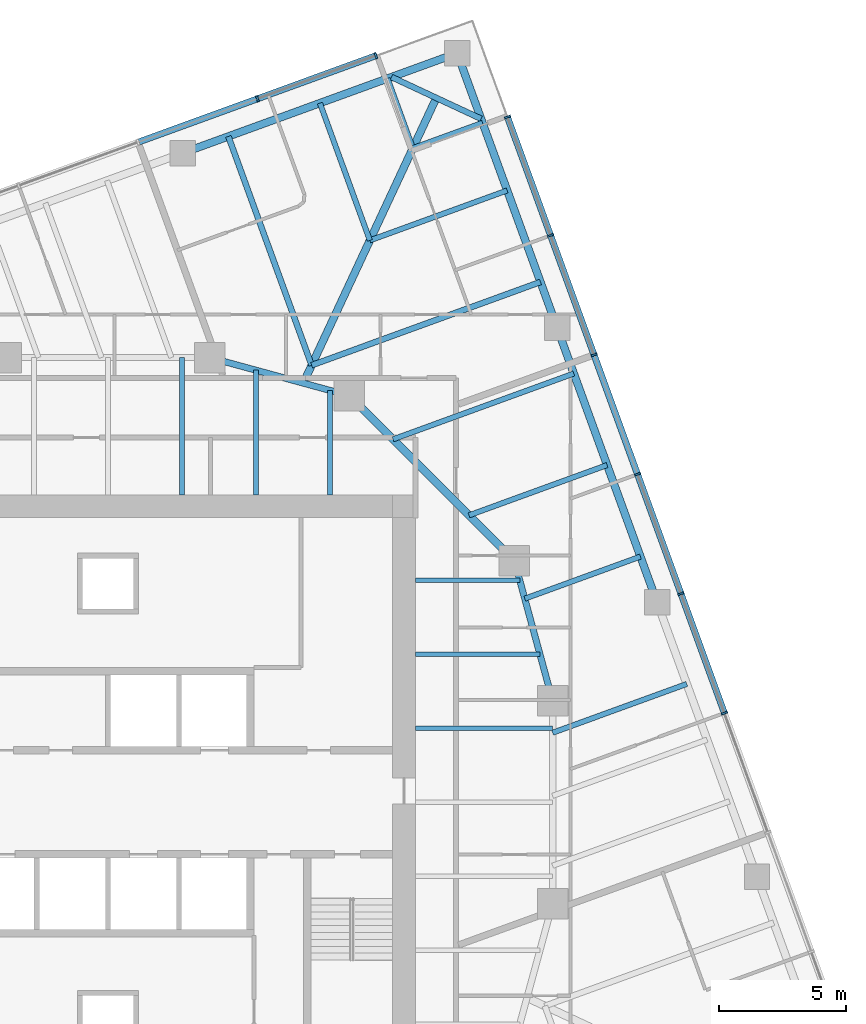
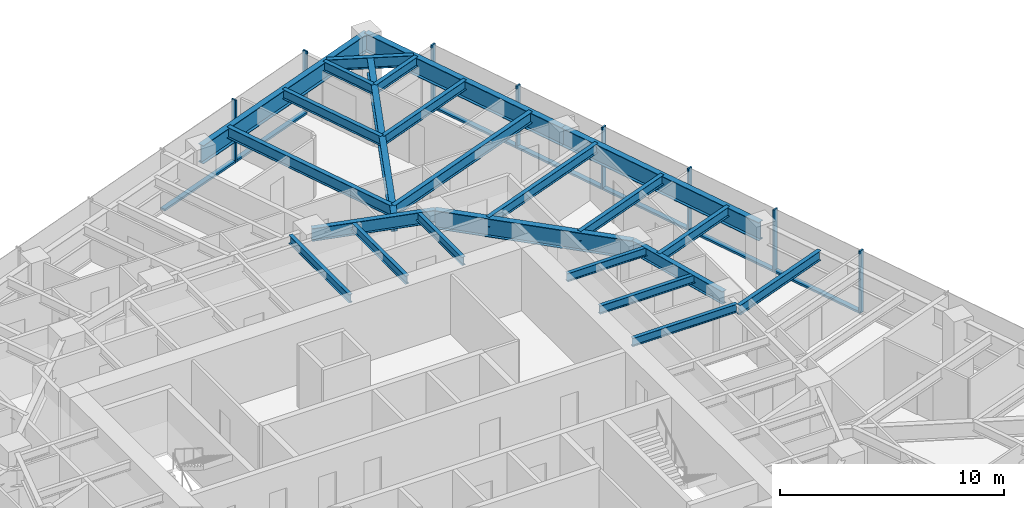
# One storey, part 5 of 13: 24 beams, 15 members, 2 elements without a shape of their own.
"""IFC4 building model written with IfcOpenShell, lengths in metres."""

from ifc_helpers import new_model, si_unit, direction, frame, origin, origin_2d, place, context, subcontext, project, spatial, rectangle, i_section, extrude, material, material_profile, profile_set, type_object, element, aggregate, save


model = new_model("IFC4")

# Units and contexts
model_context = context("Model", 3, precision=1e-05, world=origin(), true_north=direction((0.0, 1.0)))
body_context = subcontext(model_context, "Body", "Model", "MODEL_VIEW")
ifc_project = project(units=[si_unit("LENGTHUNIT", "METRE"), si_unit("AREAUNIT", "SQUARE_METRE"), si_unit("VOLUMEUNIT", "CUBIC_METRE"), si_unit("PLANEANGLEUNIT", "RADIAN"), si_unit("MASSUNIT", "GRAM", prefix="KILO")], contexts=[model_context])

# Site, building, storey
site_placement = place(None, origin())
site = spatial("IfcSite", under=ifc_project, at=site_placement, CompositionType="ELEMENT")
building_placement = place(site_placement, origin())
building = spatial("IfcBuilding", under=site, at=building_placement, Name="Torsade Residences", CompositionType="ELEMENT")
storey_placement = place(building_placement, frame((0.0, 0.0, 164.199951171875)))
storey = spatial("IfcBuildingStorey", under=building, at=storey_placement, Name="L45", CompositionType="ELEMENT", Elevation=164.199951171875)

# Beams
ifc_material_1 = material(Name="Steel grade 300", Category="steel")
ifc_material_profile_1 = material_profile(ifc_material_1, i_section(OverallWidth=0.300048828125, OverallDepth=0.89990234375, WebThickness=0.011962890625, FlangeThickness=0.02490234375, at=origin_2d()), Name="900WB175")
ifc_profile_set_1 = profile_set([ifc_material_profile_1], Name="Steel grade 300")
beam_type_1 = type_object("IfcBeamType", Name="CORNER GIRDER 900WB175", PredefinedType="BEAM", material=ifc_profile_set_1)
beam_1_placement = place(storey_placement, frame((52.924560546875, 57.717041015625, 2.800048828125), z_axis=(-0.422616712682, -0.906308509373, 0.0), x_axis=(0.906308509373, -0.422616712682, 0.0)))
element("IfcBeam", 1, at=beam_1_placement, inside=storey, type_object=beam_type_1, Name="Corner girder 09 L46", PredefinedType="BEAM", context=body_context, shape_type="SweptSolid", body=[
    extrude(i_section(OverallWidth=0.300048828125, OverallDepth=0.89990234375, WebThickness=0.011962890625, FlangeThickness=0.02490234375, at=origin_2d()), origin(), (0.0, 0.0, 1.0), 12.3837890625),
])
ifc_material_2 = material(Name="Steel grade 300", Category="steel")
ifc_material_profile_2 = material_profile(ifc_material_2, i_section(OverallWidth=0.22802734375, OverallDepth=0.60205078125, WebThickness=0.010498046875, FlangeThickness=0.014892578125, FilletRadius=0.013916015625, at=origin_2d()), Name="610UB101")
ifc_profile_set_2 = profile_set([ifc_material_profile_2], Name="Steel grade 300")
beam_type_2 = type_object("IfcBeamType", Name="CORNER TRIMMER 610UB101", PredefinedType="BEAM", material=ifc_profile_set_2)
beam_2_placement = place(storey_placement, frame((51.162353515625, 58.538818359375, 2.948974609375), z_axis=(0.906309798645, -0.422613947806, 0.0), x_axis=(0.422613947806, 0.906309798645, 0.0)))
element("IfcBeam", 2, at=beam_2_placement, inside=storey, type_object=beam_type_2, Name="Corner trimmer 09 L46", PredefinedType="BEAM", context=body_context, shape_type="SweptSolid", body=[
    extrude(i_section(OverallWidth=0.22802734375, OverallDepth=0.60205078125, WebThickness=0.010498046875, FlangeThickness=0.014892578125, FilletRadius=0.013916015625, at=origin_2d()), origin(), (0.0, 0.0, 1.0), 3.888916015625),
])
ifc_material_3 = material(Name="Steel grade 300", Category="steel")
ifc_material_profile_3 = material_profile(ifc_material_3, i_section(OverallWidth=0.300048828125, OverallDepth=1.0, WebThickness=0.01611328125, FlangeThickness=0.028076171875, at=origin_2d()), Name="1000WB215")
ifc_profile_set_3 = profile_set([ifc_material_profile_3], Name="Steel grade 300")
beam_type_3 = type_object("IfcBeamType", Name="EDGE BEAM 1000WB215", PredefinedType="SPANDREL", material=ifc_profile_set_3)
for number, where, z_axis, x_axis, name in (
    (3, (61.613037109375, 37.866455078125, 2.75), (-0.342031119628, 0.939688625666, 0.0), (-0.939688625666, -0.342031119628, 0.0), "Edge beam 07 L46"),
    (4, (57.6796875, 48.6728515625, 2.75), (-0.342005550448, 0.939697932031, 0.0), (-0.939697932031, -0.342005550448, 0.0), "Edge beam 08 L46"),
):
    element("IfcBeam", number, at=place(storey_placement, frame(where, z_axis=z_axis, x_axis=x_axis)), inside=storey, type_object=beam_type_3, Name=name, PredefinedType="SPANDREL", context=body_context, shape_type="SweptSolid", body=[
        extrude(i_section(OverallWidth=0.300048828125, OverallDepth=1.0, WebThickness=0.01611328125, FlangeThickness=0.028076171875, at=origin_2d()), origin(), (0.0, 0.0, 1.0), 11.5),
    ])
beam_3_placement = place(storey_placement, frame((53.74658203125, 59.4794921875, 2.75), z_axis=(-0.93969110915, -0.342024296483, 0.0), x_axis=(0.342024296483, -0.93969110915, 0.0)))
element("IfcBeam", 5, at=beam_3_placement, inside=storey, type_object=beam_type_3, Name="Edge beam 09 L46", PredefinedType="SPANDREL", context=body_context, shape_type="SweptSolid", body=[
    extrude(i_section(OverallWidth=0.300048828125, OverallDepth=1.0, WebThickness=0.01611328125, FlangeThickness=0.028076171875, at=origin_2d()), origin(), (0.0, 0.0, 1.0), 11.500244140625),
])
ifc_material_4 = material(Name="Steel grade 300", Category="steel")
ifc_material_profile_4 = material_profile(ifc_material_4, i_section(OverallWidth=0.18994140625, OverallDepth=0.4541015625, WebThickness=0.008544921875, FlangeThickness=0.0126953125, FilletRadius=0.011474609375, at=origin_2d()), Name="460UB67.1")
ifc_profile_set_4 = profile_set([ifc_material_profile_4], Name="Steel grade 300")
beam_type_4 = type_object("IfcBeamType", Name="INNER FLOOR BEAM 460UB67.1", PredefinedType="JOIST", material=ifc_profile_set_4)
beam_4_placement = place(storey_placement, frame((42.91259765625, 42.10009765625, 3.02294921875), z_axis=(0.0, 1.0, 0.0), x_axis=(-1.0, 0.0, 0.0)))
element("IfcBeam", 6, at=beam_4_placement, inside=storey, type_object=beam_type_4, Name="Inner floor beam IN05 L46", PredefinedType="JOIST", context=body_context, shape_type="SweptSolid", body=[
    extrude(i_section(OverallWidth=0.18994140625, OverallDepth=0.4541015625, WebThickness=0.008544921875, FlangeThickness=0.0126953125, FilletRadius=0.011474609375, at=origin_2d()), origin(), (0.0, 0.0, 1.0), 5.39990234375),
])
beam_5_placement = place(storey_placement, frame((45.824951171875, 42.10009765625, 3.02294921875), z_axis=(0.0, 1.0, 0.0), x_axis=(-1.0, 0.0, 0.0)))
element("IfcBeam", 7, at=beam_5_placement, inside=storey, type_object=beam_type_4, Name="Inner floor beam IN06 L46", PredefinedType="JOIST", context=body_context, shape_type="SweptSolid", body=[
    extrude(i_section(OverallWidth=0.18994140625, OverallDepth=0.4541015625, WebThickness=0.008544921875, FlangeThickness=0.0126953125, FilletRadius=0.011474609375, at=origin_2d()), origin(), (0.0, 0.0, 1.0), 4.902099609375),
])
beam_6_placement = place(storey_placement, frame((48.737548828125, 42.10009765625, 3.02294921875), z_axis=(0.0, 1.0, 0.0), x_axis=(-1.0, 0.0, 0.0)))
element("IfcBeam", 8, at=beam_6_placement, inside=storey, type_object=beam_type_4, Name="Inner floor beam IN07 L46", PredefinedType="JOIST", context=body_context, shape_type="SweptSolid", body=[
    extrude(i_section(OverallWidth=0.18994140625, OverallDepth=0.4541015625, WebThickness=0.008544921875, FlangeThickness=0.0126953125, FilletRadius=0.011474609375, at=origin_2d()), origin(), (0.0, 0.0, 1.0), 4.10791015625),
])
beam_7_placement = place(storey_placement, frame((52.10009765625, 32.91259765625, 3.02294921875), z_axis=(1.0, 0.0, 0.0), x_axis=(0.0, 1.0, 0.0)))
element("IfcBeam", 9, at=beam_7_placement, inside=storey, type_object=beam_type_4, Name="Inner floor beam IE05 L46", PredefinedType="JOIST", context=body_context, shape_type="SweptSolid", body=[
    extrude(i_section(OverallWidth=0.18994140625, OverallDepth=0.4541015625, WebThickness=0.008544921875, FlangeThickness=0.0126953125, FilletRadius=0.011474609375, at=origin_2d()), origin(), (0.0, 0.0, 1.0), 5.39990234375),
])
beam_8_placement = place(storey_placement, frame((52.10009765625, 35.824951171875, 3.02294921875), z_axis=(1.0, 0.0, 0.0), x_axis=(0.0, 1.0, 0.0)))
element("IfcBeam", 10, at=beam_8_placement, inside=storey, type_object=beam_type_4, Name="Inner floor beam IE06 L46", PredefinedType="JOIST", context=body_context, shape_type="SweptSolid", body=[
    extrude(i_section(OverallWidth=0.18994140625, OverallDepth=0.4541015625, WebThickness=0.008544921875, FlangeThickness=0.0126953125, FilletRadius=0.011474609375, at=origin_2d()), origin(), (0.0, 0.0, 1.0), 4.902099609375),
])
beam_9_placement = place(storey_placement, frame((52.10009765625, 38.737548828125, 3.02294921875), z_axis=(1.0, 0.0, 0.0), x_axis=(0.0, 1.0, 0.0)))
element("IfcBeam", 11, at=beam_9_placement, inside=storey, type_object=beam_type_4, Name="Inner floor beam IE07 L46", PredefinedType="JOIST", context=body_context, shape_type="SweptSolid", body=[
    extrude(i_section(OverallWidth=0.18994140625, OverallDepth=0.4541015625, WebThickness=0.008544921875, FlangeThickness=0.0126953125, FilletRadius=0.011474609375, at=origin_2d()), origin(), (0.0, 0.0, 1.0), 4.10791015625),
])

# Curtain wall, members
ifc_material_5 = material(Name="Aluminium and glass", Category="aluminium")
curtain_wall_type = type_object("IfcCurtainWallType", Name="FRITTED GLASS CURTAIN WALL MID ZONE", PredefinedType="NOTDEFINED", material=ifc_material_5)
curtain_wall_1_placement = place(storey_placement, origin())
curtain_wall_1 = element("IfcCurtainWall", 12, at=curtain_wall_1_placement, inside=storey, type_object=curtain_wall_type, Name="Curtain wall L45 face 4", PredefinedType="NOTDEFINED")
ifc_material_6 = material(Name="Aluminium mullion", Category="aluminium")
ifc_material_profile_5 = material_profile(ifc_material_6, rectangle(XDim=0.25, YDim=0.080078125, at=origin_2d()), Name="MID ZONE CURTAIN WALL MULLION 250x80")
ifc_profile_set_5 = profile_set([ifc_material_profile_5], Name="Aluminium mullion")
member_type_1 = type_object("IfcMemberType", Name="MID ZONE CURTAIN WALL MULLION 250x80", PredefinedType="MULLION", material=ifc_profile_set_5)
member_1_placement = place(storey_placement, frame((64.2626953125, 33.510009765625, 0.0), z_axis=(0.0, 0.0, 1.0), x_axis=(-0.939692619132, -0.342020147869, 0.0)))
member_1 = element("IfcMember", 13, at=member_1_placement, type_object=member_type_1, Name="Mullion 4", PredefinedType="MULLION", context=body_context, shape_type="SweptSolid", body=[
    extrude(rectangle(XDim=0.25, YDim=0.080078125, at=origin_2d()), origin(), (0.0, 0.0, 1.0), 3.400146484375),
])
member_2_placement = place(storey_placement, frame((62.552734375, 38.20849609375, 0.0), z_axis=(0.0, 0.0, 1.0), x_axis=(-0.939692619132, -0.342020147869, 0.0)))
member_2 = element("IfcMember", 14, at=member_2_placement, type_object=member_type_1, Name="Mullion 5", PredefinedType="MULLION", context=body_context, shape_type="SweptSolid", body=[
    extrude(rectangle(XDim=0.25, YDim=0.080078125, at=origin_2d()), origin(), (0.0, 0.0, 1.0), 3.400146484375),
])
member_3_placement = place(storey_placement, frame((60.842529296875, 42.906982421875, 0.0), z_axis=(0.0, 0.0, 1.0), x_axis=(-0.939692619132, -0.342020147869, 0.0)))
member_3 = element("IfcMember", 15, at=member_3_placement, type_object=member_type_1, Name="Mullion 6", PredefinedType="MULLION", context=body_context, shape_type="SweptSolid", body=[
    extrude(rectangle(XDim=0.25, YDim=0.080078125, at=origin_2d()), origin(), (0.0, 0.0, 1.0), 3.400146484375),
])
member_4_placement = place(storey_placement, frame((59.13232421875, 47.60546875, 0.0), z_axis=(0.0, 0.0, 1.0), x_axis=(-0.939692619132, -0.342020147869, 0.0)))
member_4 = element("IfcMember", 16, at=member_4_placement, type_object=member_type_1, Name="Mullion 7", PredefinedType="MULLION", context=body_context, shape_type="SweptSolid", body=[
    extrude(rectangle(XDim=0.25, YDim=0.080078125, at=origin_2d()), origin(), (0.0, 0.0, 1.0), 3.400146484375),
])
member_5_placement = place(storey_placement, frame((57.42236328125, 52.303955078125, 0.0), z_axis=(0.0, 0.0, 1.0), x_axis=(-0.939692619132, -0.342020147869, 0.0)))
member_5 = element("IfcMember", 17, at=member_5_placement, type_object=member_type_1, Name="Mullion 8", PredefinedType="MULLION", context=body_context, shape_type="SweptSolid", body=[
    extrude(rectangle(XDim=0.25, YDim=0.080078125, at=origin_2d()), origin(), (0.0, 0.0, 1.0), 3.400146484375),
])
member_6_placement = place(storey_placement, frame((55.725830078125, 56.96484375, 0.0), z_axis=(0.0, 0.0, 1.0), x_axis=(-0.939692619132, -0.342020147869, 0.0)))
member_6 = element("IfcMember", 18, at=member_6_placement, type_object=member_type_1, Name="Mullion 9", PredefinedType="MULLION", context=body_context, shape_type="SweptSolid", body=[
    extrude(rectangle(XDim=0.25, YDim=0.080078125, at=origin_2d()), origin(), (0.0, 0.0, 1.0), 3.400146484375),
])

curtain_wall_2_placement = place(storey_placement, origin())
curtain_wall_2 = element("IfcCurtainWall", 19, at=curtain_wall_2_placement, inside=storey, type_object=curtain_wall_type, Name="Curtain wall L45 face 7", PredefinedType="NOTDEFINED")
member_7_placement = place(storey_placement, frame((50.5478515625, 59.37939453125, 0.0), z_axis=(0.0, 0.0, 1.0), x_axis=(0.342020147869, -0.939692619132, 0.0)))
member_7 = element("IfcMember", 20, at=member_7_placement, type_object=member_type_1, Name="Mullion 1", PredefinedType="MULLION", context=body_context, shape_type="SweptSolid", body=[
    extrude(rectangle(XDim=0.25, YDim=0.080078125, at=origin_2d()), origin(), (0.0, 0.0, 1.0), 3.400146484375),
])
member_8_placement = place(storey_placement, frame((45.886962890625, 57.682861328125, 0.0), z_axis=(0.0, 0.0, 1.0), x_axis=(0.342020147869, -0.939692619132, 0.0)))
member_8 = element("IfcMember", 21, at=member_8_placement, type_object=member_type_1, Name="Mullion 2", PredefinedType="MULLION", context=body_context, shape_type="SweptSolid", body=[
    extrude(rectangle(XDim=0.25, YDim=0.080078125, at=origin_2d()), origin(), (0.0, 0.0, 1.0), 3.400146484375),
])

# Member
ifc_material_7 = material(Name="Aluminium transom", Category="aluminium")
ifc_material_profile_6 = material_profile(ifc_material_7, rectangle(XDim=0.25, YDim=0.110107421875, at=origin_2d()), Name="MID ZONE CURTAIN WALL TRANSOM 250x110")
ifc_profile_set_6 = profile_set([ifc_material_profile_6], Name="Aluminium transom")
member_type_2 = type_object("IfcMemberType", Name="MID ZONE CURTAIN WALL TRANSOM 250x110", PredefinedType="USERDEFINED", material=ifc_profile_set_6)
member_9_placement = place(storey_placement, frame((64.2490234375, 33.547607421875, 0.054931640625), z_axis=(-0.341998044792, 0.9397006637, 0.0), x_axis=(-0.9397006637, -0.341998044792, 0.0)))
member_9 = element("IfcMember", 22, at=member_9_placement, type_object=member_type_2, Name="Transom 4.1", ObjectType="TRANSOM", PredefinedType="USERDEFINED", context=body_context, shape_type="SweptSolid", body=[
    extrude(rectangle(XDim=0.25, YDim=0.110107421875, at=origin_2d()), origin(), (0.0, 0.0, 1.0), 4.919921875),
])

member_10_placement = place(storey_placement, frame((62.5390625, 38.24609375, 0.054931640625), z_axis=(-0.342041862168, 0.93968471549, 0.0), x_axis=(-0.93968471549, -0.342041862168, 0.0)))
member_10 = element("IfcMember", 23, at=member_10_placement, type_object=member_type_2, Name="Transom 5.1", ObjectType="TRANSOM", PredefinedType="USERDEFINED", context=body_context, shape_type="SweptSolid", body=[
    extrude(rectangle(XDim=0.25, YDim=0.110107421875, at=origin_2d()), origin(), (0.0, 0.0, 1.0), 4.920166015625),
])

member_11_placement = place(storey_placement, frame((60.828857421875, 42.944580078125, 0.054931640625), z_axis=(-0.342041862168, 0.93968471549, 0.0), x_axis=(-0.93968471549, -0.342041862168, 0.0)))
member_11 = element("IfcMember", 24, at=member_11_placement, type_object=member_type_2, Name="Transom 6.1", ObjectType="TRANSOM", PredefinedType="USERDEFINED", context=body_context, shape_type="SweptSolid", body=[
    extrude(rectangle(XDim=0.25, YDim=0.110107421875, at=origin_2d()), origin(), (0.0, 0.0, 1.0), 4.920166015625),
])

member_12_placement = place(storey_placement, frame((59.11865234375, 47.64306640625, 0.054931640625), z_axis=(-0.341998044792, 0.9397006637, 0.0), x_axis=(-0.9397006637, -0.341998044792, 0.0)))
member_12 = element("IfcMember", 25, at=member_12_placement, type_object=member_type_2, Name="Transom 7.1", ObjectType="TRANSOM", PredefinedType="USERDEFINED", context=body_context, shape_type="SweptSolid", body=[
    extrude(rectangle(XDim=0.25, YDim=0.110107421875, at=origin_2d()), origin(), (0.0, 0.0, 1.0), 4.919921875),
])

member_13_placement = place(storey_placement, frame((57.40869140625, 52.341552734375, 0.054931640625), z_axis=(-0.342044311564, 0.939683823915, 0.0), x_axis=(-0.939683823915, -0.342044311564, 0.0)))
member_13 = element("IfcMember", 26, at=member_13_placement, type_object=member_type_2, Name="Transom 8.1", ObjectType="TRANSOM", PredefinedType="USERDEFINED", context=body_context, shape_type="SweptSolid", body=[
    extrude(rectangle(XDim=0.25, YDim=0.110107421875, at=origin_2d()), origin(), (0.0, 0.0, 1.0), 4.880126953125),
])

aggregate(curtain_wall_1, [member_1, member_2, member_3, member_4, member_5, member_6, member_9, member_10, member_11, member_12, member_13])

member_14_placement = place(storey_placement, frame((50.51025390625, 59.36572265625, 0.054931640625), z_axis=(-0.939683823915, -0.342044311564, 0.0), x_axis=(0.342044311564, -0.939683823915, 0.0)))
member_14 = element("IfcMember", 27, at=member_14_placement, type_object=member_type_2, Name="Transom 1.1", ObjectType="TRANSOM", PredefinedType="USERDEFINED", context=body_context, shape_type="SweptSolid", body=[
    extrude(rectangle(XDim=0.25, YDim=0.110107421875, at=origin_2d()), origin(), (0.0, 0.0, 1.0), 4.880126953125),
])

member_15_placement = place(storey_placement, frame((45.849365234375, 57.669189453125, 0.054931640625), z_axis=(-0.9397006637, -0.341998044792, 0.0), x_axis=(0.341998044792, -0.9397006637, 0.0)))
member_15 = element("IfcMember", 28, at=member_15_placement, type_object=member_type_2, Name="Transom 2.1", ObjectType="TRANSOM", PredefinedType="USERDEFINED", context=body_context, shape_type="SweptSolid", body=[
    extrude(rectangle(XDim=0.25, YDim=0.110107421875, at=origin_2d()), origin(), (0.0, 0.0, 1.0), 4.919921875),
])

aggregate(curtain_wall_2, [member_7, member_8, member_14, member_15])

# Beams
ifc_material_8 = material(Name="Steel grade 300", Category="steel")
ifc_material_profile_7 = material_profile(ifc_material_8, i_section(OverallWidth=0.300048828125, OverallDepth=1.0, WebThickness=0.01611328125, FlangeThickness=0.028076171875, at=origin_2d()), Name="1000WB215")
ifc_profile_set_7 = profile_set([ifc_material_profile_7], Name="Steel grade 300")
beam_type_5 = type_object("IfcBeamType", Name="RING CORNER GIRDER 1000WB215", PredefinedType="BEAM", material=ifc_profile_set_7)
beam_10_placement = place(storey_placement, frame((56.0, 39.5, 2.75), z_axis=(-0.707106781187, 0.707106781187, 0.0), x_axis=(-0.707106781187, -0.707106781187, 0.0)))
element("IfcBeam", 29, at=beam_10_placement, inside=storey, type_object=beam_type_5, Name="Ring girder IR03 L46", PredefinedType="BEAM", context=body_context, shape_type="SweptSolid", body=[
    extrude(i_section(OverallWidth=0.300048828125, OverallDepth=1.0, WebThickness=0.01611328125, FlangeThickness=0.028076171875, at=origin_2d()), origin(), (0.0, 0.0, 1.0), 9.1923828125),
])
ifc_material_9 = material(Name="Steel grade 300", Category="steel")
ifc_material_profile_8 = material_profile(ifc_material_9, i_section(OverallWidth=0.25, OverallDepth=0.699951171875, WebThickness=0.010009765625, FlangeThickness=0.02001953125, at=origin_2d()), Name="700WB130")
ifc_profile_set_8 = profile_set([ifc_material_profile_8], Name="Steel grade 300")
beam_type_6 = type_object("IfcBeamType", Name="RING GIRDER 700WB130", PredefinedType="BEAM", material=ifc_profile_set_8)
for number, where, z_axis, x_axis, name in (
    (30, (57.5, 34.0, 2.900146484375), (-0.263117405792, 0.964763821238, 0.0), (-0.964763821238, -0.263117405792, 0.0), "Ring girder IR02 L46"),
    (31, (49.5, 46.0, 2.900146484375), (-0.964763821238, 0.263117405792, 0.0), (-0.263117405792, -0.964763821238, 0.0), "Ring girder IR04 L46"),
):
    element("IfcBeam", number, at=place(storey_placement, frame(where, z_axis=z_axis, x_axis=x_axis)), inside=storey, type_object=beam_type_6, Name=name, PredefinedType="BEAM", context=body_context, shape_type="SweptSolid", body=[
        extrude(i_section(OverallWidth=0.25, OverallDepth=0.699951171875, WebThickness=0.010009765625, FlangeThickness=0.02001953125, at=origin_2d()), origin(), (0.0, 0.0, 1.0), 5.700927734375),
    ])
ifc_material_10 = material(Name="Steel grade 300", Category="steel")
ifc_material_profile_9 = material_profile(ifc_material_10, i_section(OverallWidth=0.208984375, OverallDepth=0.528076171875, WebThickness=0.009521484375, FlangeThickness=0.01318359375, FilletRadius=0.013916015625, at=origin_2d()), Name="530UB82.0")
ifc_profile_set_9 = profile_set([ifc_material_profile_9], Name="Steel grade 300")
beam_type_7 = type_object("IfcBeamType", Name="SECONDARY BEAM 530UB82.0", PredefinedType="JOIST", material=ifc_profile_set_9)
beam_11_placement = place(storey_placement, frame((62.781494140625, 34.65576171875, 2.986083984375), z_axis=(-0.939703343336, -0.341990681925, 0.0), x_axis=(0.341990681925, -0.939703343336, 0.0)))
element("IfcBeam", 32, at=beam_11_placement, inside=storey, type_object=beam_type_7, Name="Floor beam FE06 L46", PredefinedType="JOIST", context=body_context, shape_type="SweptSolid", body=[
    extrude(i_section(OverallWidth=0.208984375, OverallDepth=0.528076171875, WebThickness=0.009521484375, FlangeThickness=0.01318359375, FilletRadius=0.013916015625, at=origin_2d()), origin(), (0.0, 0.0, 1.0), 5.620361328125),
])
beam_12_placement = place(storey_placement, frame((60.957275390625, 39.66748046875, 2.986083984375), z_axis=(-0.939694777187, -0.342014218604, 0.0), x_axis=(0.342014218604, -0.939694777187, 0.0)))
element("IfcBeam", 33, at=beam_12_placement, inside=storey, type_object=beam_type_7, Name="Floor beam FE07 L46", PredefinedType="JOIST", context=body_context, shape_type="SweptSolid", body=[
    extrude(i_section(OverallWidth=0.208984375, OverallDepth=0.528076171875, WebThickness=0.009521484375, FlangeThickness=0.01318359375, FilletRadius=0.013916015625, at=origin_2d()), origin(), (0.0, 0.0, 1.0), 4.84326171875),
])
beam_13_placement = place(storey_placement, frame((59.646240234375, 43.269775390625, 2.986083984375), z_axis=(-0.939687428295, -0.342034409239, 0.0), x_axis=(0.342034409239, -0.939687428295, 0.0)))
element("IfcBeam", 34, at=beam_13_placement, inside=storey, type_object=beam_type_7, Name="Floor beam FE08 L46", PredefinedType="JOIST", context=body_context, shape_type="SweptSolid", body=[
    extrude(i_section(OverallWidth=0.208984375, OverallDepth=0.528076171875, WebThickness=0.009521484375, FlangeThickness=0.01318359375, FilletRadius=0.013916015625, at=origin_2d()), origin(), (0.0, 0.0, 1.0), 5.785888671875),
])
beam_14_placement = place(storey_placement, frame((58.335205078125, 46.871826171875, 2.986083984375), z_axis=(-0.939689847531, -0.342027762686, 0.0), x_axis=(0.342027762686, -0.939689847531, 0.0)))
element("IfcBeam", 35, at=beam_14_placement, inside=storey, type_object=beam_type_7, Name="Floor beam FE09 L46", PredefinedType="JOIST", context=body_context, shape_type="SweptSolid", body=[
    extrude(i_section(OverallWidth=0.208984375, OverallDepth=0.528076171875, WebThickness=0.009521484375, FlangeThickness=0.01318359375, FilletRadius=0.013916015625, at=origin_2d()), origin(), (0.0, 0.0, 1.0), 7.573486328125),
])
beam_15_placement = place(storey_placement, frame((55.713134765625, 54.076171875, 2.986083984375), z_axis=(-0.939697932031, -0.342005550448, 0.0), x_axis=(0.342005550448, -0.939697932031, 0.0)))
element("IfcBeam", 36, at=beam_15_placement, inside=storey, type_object=beam_type_7, Name="Floor beam FE11 L46", PredefinedType="JOIST", context=body_context, shape_type="SweptSolid", body=[
    extrude(i_section(OverallWidth=0.208984375, OverallDepth=0.528076171875, WebThickness=0.009521484375, FlangeThickness=0.01318359375, FilletRadius=0.013916015625, at=origin_2d()), origin(), (0.0, 0.0, 1.0), 5.75),
])
for number, where, z_axis, x_axis, name in (
    (37, (54.744140625, 56.738525390625, 2.986083984375), (-0.939700524495, -0.341998427281, 0.0), (0.341998427281, -0.939700524495, 0.0), "Floor beam FE12 L46"),
    (38, (51.005615234375, 58.48193359375, 2.986083984375), (0.341998427281, -0.939700524495, 0.0), (0.939700524495, 0.341998427281, 0.0), "Floor beam FN01 L46"),
):
    element("IfcBeam", number, at=place(storey_placement, frame(where, z_axis=z_axis, x_axis=x_axis)), inside=storey, type_object=beam_type_7, Name=name, PredefinedType="JOIST", context=body_context, shape_type="SweptSolid", body=[
        extrude(i_section(OverallWidth=0.208984375, OverallDepth=0.528076171875, WebThickness=0.009521484375, FlangeThickness=0.01318359375, FilletRadius=0.013916015625, at=origin_2d()), origin(), (0.0, 0.0, 1.0), 2.916748046875),
    ])
beam_16_placement = place(storey_placement, frame((48.34326171875, 57.5126953125, 2.986083984375), z_axis=(0.342019196443, -0.939692965423, 0.0), x_axis=(0.939692965423, 0.342019196443, 0.0)))
element("IfcBeam", 39, at=beam_16_placement, inside=storey, type_object=beam_type_7, Name="Floor beam FN02 L46", PredefinedType="JOIST", context=body_context, shape_type="SweptSolid", body=[
    extrude(i_section(OverallWidth=0.208984375, OverallDepth=0.528076171875, WebThickness=0.009521484375, FlangeThickness=0.01318359375, FilletRadius=0.013916015625, at=origin_2d()), origin(), (0.0, 0.0, 1.0), 5.749755859375),
])
ifc_material_11 = material(Name="Steel grade 300", Category="steel")
ifc_material_profile_10 = material_profile(ifc_material_11, i_section(OverallWidth=0.22900390625, OverallDepth=0.612060546875, WebThickness=0.011962890625, FlangeThickness=0.01953125, FilletRadius=0.013916015625, at=origin_2d()), Name="610UB125")
ifc_profile_set_10 = profile_set([ifc_material_profile_10], Name="Steel grade 300")
beam_type_8 = type_object("IfcBeamType", Name="SECONDARY BEAM 610UB125", PredefinedType="JOIST", material=ifc_profile_set_10)
for number, where, z_axis, x_axis, name in (
    (40, (57.024169921875, 50.47412109375, 2.944091796875), (-0.939687757725, -0.342033504181, 0.0), (0.342033504181, -0.939687757725, 0.0), "Floor beam FE10 L46"),
    (41, (44.740966796875, 56.20166015625, 2.944091796875), (0.342033504181, -0.939687757725, 0.0), (0.939687757725, 0.342033504181, 0.0), "Floor beam FN03 L46"),
):
    element("IfcBeam", number, at=place(storey_placement, frame(where, z_axis=z_axis, x_axis=x_axis)), inside=storey, type_object=beam_type_8, Name=name, PredefinedType="JOIST", context=body_context, shape_type="SweptSolid", body=[
        extrude(i_section(OverallWidth=0.22900390625, OverallDepth=0.612060546875, WebThickness=0.011962890625, FlangeThickness=0.01953125, FilletRadius=0.013916015625, at=origin_2d()), origin(), (0.0, 0.0, 1.0), 9.583251953125),
    ])

save(model, "model.ifc")
